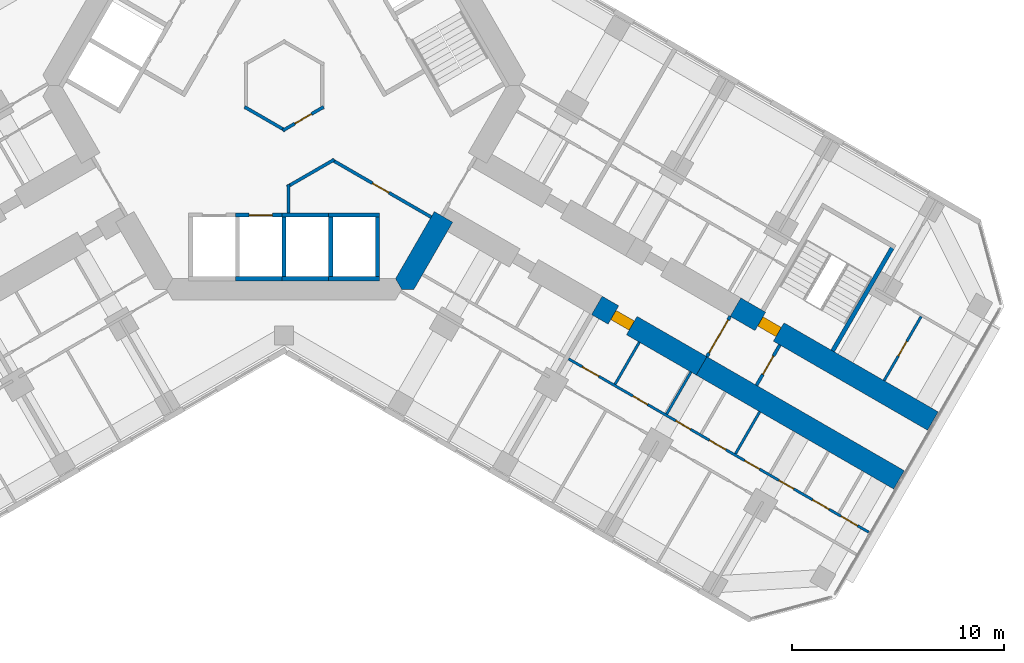
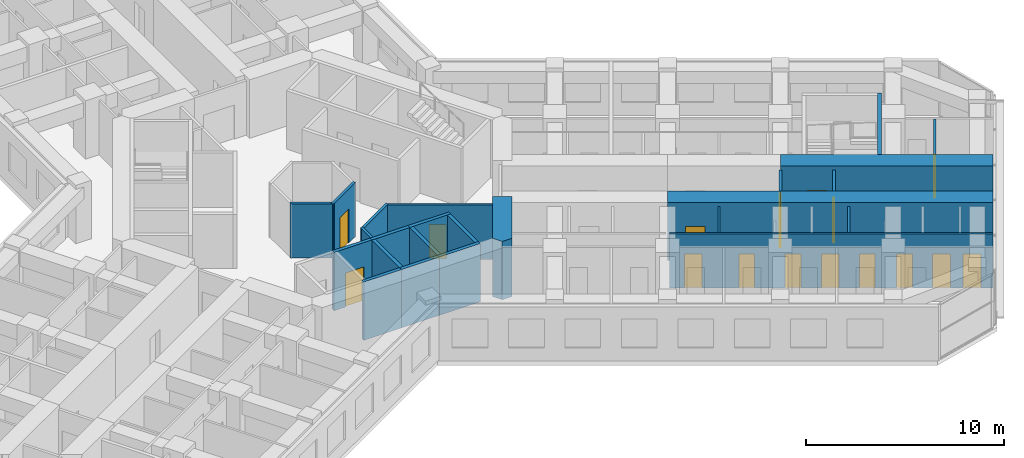
# One storey, part 15 of 22: 26 walls, 16 doors, 16 openings.
"""IFC4 building model written with IfcOpenShell, lengths in metres."""

from ifc_helpers import new_model, si_unit, direction, frame, frame_2d, origin, place, context, subcontext, project, spatial, polyline, rectangle, outline, extrude, material, layer, layer_set, type_object, element, fill, save


model = new_model("IFC4")

# Units and contexts
model_context = context("Model", 3, precision=1e-05, world=origin(), true_north=direction((0.0, 1.0)))
body_context = subcontext(model_context, "Body", "Model", "MODEL_VIEW")
ifc_project = project(units=[si_unit("LENGTHUNIT", "METRE"), si_unit("AREAUNIT", "SQUARE_METRE"), si_unit("VOLUMEUNIT", "CUBIC_METRE"), si_unit("PLANEANGLEUNIT", "RADIAN"), si_unit("MASSUNIT", "GRAM", prefix="KILO")], contexts=[model_context])

# Site, building, storey
site_placement = place(None, origin())
site = spatial("IfcSite", under=ifc_project, at=site_placement, CompositionType="ELEMENT")
building_placement = place(site_placement, origin())
building = spatial("IfcBuilding", under=site, at=building_placement, Name="Kosmar Iwan School Tower", CompositionType="ELEMENT")
storey_placement = place(building_placement, frame((0.0, 0.0, 91.60009765625)))
storey = spatial("IfcBuildingStorey", under=building, at=storey_placement, Name="L22", CompositionType="ELEMENT", Elevation=91.60009765625)

# Wall, opening, door
ifc_material_1 = material(Name="Gypsum board on steel studs, fire-rated", Category="steel")
ifc_layer_1 = layer(ifc_material_1, 0.14990234375)
ifc_layer_set_1 = layer_set([ifc_layer_1], Name="Core room partition 150")
wall_type_1 = type_object("IfcWallType", Name="Core room partition 150", PredefinedType="PARTITIONING", material=ifc_layer_set_1)
wall_1_placement = place(storey_placement, frame((1.864990234375, -1.001708984375, 0.0), z_axis=(0.0, 0.0, 1.0), x_axis=(-0.866023215828, -0.500003789632, 0.0)))
wall_1 = element("IfcWall", 1, at=wall_1_placement, inside=storey, type_object=wall_type_1, Name="Core room partition L22-CW4", PredefinedType="PARTITIONING", context=body_context, shape_type="SweptSolid", body=[
    extrude(rectangle(XDim=2.228515625, YDim=0.14990234375, at=frame_2d((1.1142578125, 0.0))), origin(), (0.0, 0.0, 1.0), 3.349853515625),
])
opening_1_placement = place(wall_1_placement, frame((0.6640625, 0.0, 0.0)))
opening_1 = element("IfcOpeningElement", 2, at=opening_1_placement, cuts=wall_1, Name="Opening D14", PredefinedType="OPENING", context=body_context, shape_type="SweptSolid", body=[
    extrude(rectangle(XDim=0.89990234375, YDim=2.10009765625, at=frame_2d((0.449951171875, 1.050048828125))), frame((0.0, 0.0869140625, 0.0), z_axis=(0.0, -1.0, 0.0), x_axis=(1.0, 0.0, 0.0)), (0.0, 0.0, 1.0), 0.173828125),
])
ifc_material_2 = material(Name="Timber fire door in steel frame", Category="steel")
door_type_1 = type_object("IfcDoorType", Name="Core room door 900x2100", OperationType="SINGLE_SWING_LEFT", PredefinedType="DOOR", material=ifc_material_2)
door_1_placement = place(opening_1_placement, origin())
door_1 = element("IfcDoor", 3, at=door_1_placement, inside=storey, type_object=door_type_1, Name="Communications room door L22 3", OperationType="SINGLE_SWING_LEFT", OverallHeight=2.10009765625, OverallWidth=0.89990234375, PredefinedType="DOOR", context=body_context, shape_type="SweptSolid", body=[
    extrude(rectangle(XDim=0.89990234375, YDim=2.10009765625, at=frame_2d((0.449951171875, 1.050048828125))), frame((0.0, 0.02490234375, 0.0), z_axis=(0.0, -1.0, 0.0), x_axis=(1.0, 0.0, 0.0)), (0.0, 0.0, 1.0), 0.050048828125),
])
fill(opening_1, door_1)

# Walls
wall_2_placement = place(storey_placement, frame((0.06494140625, -2.115966796875, 0.0), z_axis=(0.0, 0.0, 1.0), x_axis=(-0.866023215828, 0.500003789632, 0.0)))
element("IfcWall", 4, at=wall_2_placement, inside=storey, type_object=wall_type_1, Name="Core room partition L22-CW5", PredefinedType="PARTITIONING", context=body_context, shape_type="SweptSolid", body=[
    extrude(rectangle(XDim=2.228515625, YDim=0.14990234375, at=frame_2d((1.1142578125, 0.0))), origin(), (0.0, 0.0, 1.0), 3.349853515625),
])
wall_3_placement = place(storey_placement, frame((0.135009765625, -4.771728515625, 0.0), z_axis=(0.0, 0.0, 1.0), x_axis=(0.866046643894, 0.499963209246, 0.0)))
element("IfcWall", 5, at=wall_3_placement, inside=storey, type_object=wall_type_1, Name="Core room partition L22-CW10", PredefinedType="PARTITIONING", context=body_context, shape_type="SweptSolid", body=[
    extrude(rectangle(XDim=2.574951171875, YDim=0.14990234375, at=frame_2d((1.28759765625, 0.0))), origin(), (0.0, 0.0, 1.0), 3.349853515625),
])

# Wall, opening, door
wall_4_placement = place(storey_placement, frame((2.235107421875, -3.484375, 0.0), z_axis=(0.0, 0.0, 1.0), x_axis=(0.866020628587, -0.500008270794, 0.0)))
wall_4 = element("IfcWall", 6, at=wall_4_placement, inside=storey, type_object=wall_type_1, Name="Core room partition L22-CW11", PredefinedType="PARTITIONING", context=body_context, shape_type="SweptSolid", body=[
    extrude(rectangle(XDim=5.42236328125, YDim=0.14990234375, at=frame_2d((2.711181640625, 0.0))), origin(), (0.0, 0.0, 1.0), 3.349853515625),
])
opening_2_placement = place(wall_4_placement, frame((2.218994140625, 0.0, 0.0)))
opening_2 = element("IfcOpeningElement", 7, at=opening_2_placement, cuts=wall_4, Name="Opening D14", PredefinedType="OPENING", context=body_context, shape_type="SweptSolid", body=[
    extrude(rectangle(XDim=0.89990234375, YDim=2.10009765625, at=frame_2d((0.449951171875, 1.050048828125))), frame((0.0, 0.0869140625, 0.0), z_axis=(0.0, -1.0, 0.0), x_axis=(1.0, 0.0, 0.0)), (0.0, 0.0, 1.0), 0.173828125),
])
door_2_placement = place(opening_2_placement, origin())
door_2 = element("IfcDoor", 8, at=door_2_placement, inside=storey, type_object=door_type_1, Name="Bulky waste store door L22 4", OperationType="SINGLE_SWING_LEFT", OverallHeight=2.10009765625, OverallWidth=0.89990234375, PredefinedType="DOOR", context=body_context, shape_type="SweptSolid", body=[
    extrude(rectangle(XDim=0.89990234375, YDim=2.10009765625, at=frame_2d((0.449951171875, 1.050048828125))), frame((0.0, 0.02490234375, 0.0), z_axis=(0.0, -1.0, 0.0), x_axis=(1.0, 0.0, 0.0)), (0.0, 0.0, 1.0), 0.050048828125),
])
fill(opening_2, door_2)

# Walls
wall_5_placement = place(storey_placement, frame((0.199951171875, -6.0048828125, 0.0), z_axis=(0.0, 0.0, 1.0), x_axis=(0.0, 1.0, 0.0)))
element("IfcWall", 9, at=wall_5_placement, inside=storey, type_object=wall_type_1, Name="Core room partition L22-CW12", PredefinedType="PARTITIONING", context=body_context, shape_type="SweptSolid", body=[
    extrude(rectangle(XDim=1.345703125, YDim=0.14990234375, at=frame_2d((0.6728515625, 0.0))), origin(), (0.0, 0.0, 1.0), 3.349853515625),
])
ifc_material_3 = material(Name="Concrete C50/60", Category="concrete")
ifc_layer_2 = layer(ifc_material_3, 1.0)
ifc_layer_set_2 = layer_set([ifc_layer_2], Name="Core wall 1000")
wall_type_2 = type_object("IfcWallType", Name="Core wall 1000", PredefinedType="SHEAR", material=ifc_layer_set_2)
wall_6_placement = place(storey_placement, origin())
element("IfcWall", 10, at=wall_6_placement, inside=storey, type_object=wall_type_2, Name="Core wall F330a", PredefinedType="SHEAR", context=body_context, shape_type="SweptSolid", body=[
    extrude(outline(polyline([(5.54248046875, -9.60009765625), (6.119873046875, -9.60009765625), (7.94677734375, -6.435546875), (7.080810546875, -5.935546875), (5.25390625, -9.10009765625), (5.54248046875, -9.60009765625)])), origin(), (0.0, 0.0, 1.0), 3.599853515625),
])

# Wall, opening, door
ifc_material_4 = material(Name="Concrete C50/60", Category="concrete")
ifc_layer_3 = layer(ifc_material_4, 1.0)
ifc_layer_set_3 = layer_set([ifc_layer_3], Name="Corridor buttress wall 1000")
wall_type_3 = type_object("IfcWallType", Name="Corridor buttress wall 1000", PredefinedType="SHEAR", material=ifc_layer_set_3)
wall_7_placement = place(storey_placement, frame((21.281494140625, -10.439453125, 0.0), z_axis=(0.0, 0.0, 1.0), x_axis=(0.866032345022, -0.499987977232, 0.0)))
wall_7 = element("IfcWall", 11, at=wall_7_placement, inside=storey, type_object=wall_type_3, Name="Corridor wall CL bay 3", PredefinedType="SHEAR", context=body_context, shape_type="SweptSolid", body=[
    extrude(rectangle(XDim=10.744873046875, YDim=1.0, at=frame_2d((5.37255859375, 0.0))), origin(), (0.0, 0.0, 1.0), 3.599853515625),
])
opening_3_placement = place(wall_7_placement, frame((1.35009765625, 0.0, 0.0)))
opening_3 = element("IfcOpeningElement", 12, at=opening_3_placement, cuts=wall_7, Name="Opening D6", PredefinedType="OPENING", context=body_context, shape_type="SweptSolid", body=[
    extrude(rectangle(XDim=1.0, YDim=2.10009765625, at=frame_2d((0.5, 1.050048828125))), frame((0.0, 0.511962890625, 0.0), z_axis=(0.0, -1.0, 0.0), x_axis=(1.0, 0.0, 0.0)), (0.0, 0.0, 1.0), 1.02392578125),
])
ifc_material_5 = material(Name="Steel fire door", Category="steel")
door_type_2 = type_object("IfcDoorType", Name="Stair door 1000x2100", OperationType="SINGLE_SWING_LEFT", PredefinedType="DOOR", material=ifc_material_5)
door_3_placement = place(opening_3_placement, origin())
door_3 = element("IfcDoor", 13, at=door_3_placement, inside=storey, type_object=door_type_2, Name="Stair WS3 door L22", OperationType="SINGLE_SWING_LEFT", OverallHeight=2.10009765625, OverallWidth=1.0, PredefinedType="DOOR", context=body_context, shape_type="SweptSolid", body=[
    extrude(rectangle(XDim=1.0, YDim=2.10009765625, at=frame_2d((0.5, 1.050048828125))), frame((0.0, 0.25, 0.0), z_axis=(0.0, -1.0, 0.0), x_axis=(1.0, 0.0, 0.0)), (0.0, 0.0, 1.0), 0.5),
])
fill(opening_3, door_3)

wall_8_placement = place(storey_placement, frame((14.7451171875, -10.360595703125, 0.0), z_axis=(0.0, 0.0, 1.0), x_axis=(0.866015111908, -0.50001782563, 0.0)))
wall_8 = element("IfcWall", 14, at=wall_8_placement, inside=storey, type_object=wall_type_3, Name="Corridor wall CR bay 2", PredefinedType="SHEAR", context=body_context, shape_type="SweptSolid", body=[
    extrude(rectangle(XDim=5.699951171875, YDim=1.0, at=frame_2d((2.85009765625, 0.0))), origin(), (0.0, 0.0, 1.0), 3.599853515625),
])
opening_4_placement = place(wall_8_placement, frame((0.89990234375, 0.0, 0.0)))
opening_4 = element("IfcOpeningElement", 15, at=opening_4_placement, cuts=wall_8, Name="Opening D1", PredefinedType="OPENING", context=body_context, shape_type="SweptSolid", body=[
    extrude(rectangle(XDim=1.0, YDim=2.10009765625, at=frame_2d((0.5, 1.050048828125))), frame((0.0, 0.511962890625, 0.0), z_axis=(0.0, -1.0, 0.0), x_axis=(1.0, 0.0, 0.0)), (0.0, 0.0, 1.0), 1.02392578125),
])
ifc_material_6 = material(Name="Timber fire door in steel frame", Category="steel")
door_type_3 = type_object("IfcDoorType", Name="Flat entrance door 1000x2100", OperationType="SINGLE_SWING_LEFT", PredefinedType="DOOR", material=ifc_material_6)
door_4_placement = place(opening_4_placement, origin())
door_4 = element("IfcDoor", 16, at=door_4_placement, inside=storey, type_object=door_type_3, Name="Flat L22-CR2 entrance door", OperationType="SINGLE_SWING_LEFT", OverallHeight=2.10009765625, OverallWidth=1.0, PredefinedType="DOOR", context=body_context, shape_type="SweptSolid", body=[
    extrude(rectangle(XDim=1.0, YDim=2.10009765625, at=frame_2d((0.5, 1.050048828125))), frame((0.0, 0.25, 0.0), z_axis=(0.0, -1.0, 0.0), x_axis=(1.0, 0.0, 0.0)), (0.0, 0.0, 1.0), 0.5),
])
fill(opening_4, door_4)

# Wall
wall_9_placement = place(storey_placement, frame((19.681396484375, -13.210693359375, 0.0), z_axis=(0.0, 0.0, 1.0), x_axis=(0.866028186671, -0.499995179869, 0.0)))
element("IfcWall", 17, at=wall_9_placement, inside=storey, type_object=wall_type_3, Name="Corridor wall CR bay 3", PredefinedType="SHEAR", context=body_context, shape_type="SweptSolid", body=[
    extrude(rectangle(XDim=10.7451171875, YDim=1.0, at=frame_2d((5.37255859375, 0.0))), origin(), (0.0, 0.0, 1.0), 3.599853515625),
])

# Wall, opening, door
ifc_material_7 = material(Name="Gypsum board on steel studs, fire-rated", Category="steel")
ifc_layer_4 = layer(ifc_material_7, 0.14990234375)
ifc_layer_set_4 = layer_set([ifc_layer_4], Name="Corridor end wall 150")
wall_type_4 = type_object("IfcWallType", Name="Corridor end wall 150", PredefinedType="PARTITIONING", material=ifc_layer_set_4)
wall_10_placement = place(storey_placement, frame((22.269775390625, -14.127685546875, 0.0), z_axis=(0.0, 0.0, 1.0), x_axis=(0.50002983664, 0.866008176907, 0.0)))
wall_10 = element("IfcWall", 18, at=wall_10_placement, inside=storey, type_object=wall_type_4, Name="Partition L22-C-CE", PredefinedType="PARTITIONING", context=body_context, shape_type="SweptSolid", body=[
    extrude(rectangle(XDim=2.199951171875, YDim=0.14990234375, at=frame_2d((1.10009765625, 0.0))), origin(), (0.0, 0.0, 1.0), 3.349853515625),
])
opening_5_placement = place(wall_10_placement, frame((0.60009765625, 0.0, 0.0)))
opening_5 = element("IfcOpeningElement", 19, at=opening_5_placement, cuts=wall_10, Name="Opening D13", PredefinedType="OPENING", context=body_context, shape_type="SweptSolid", body=[
    extrude(rectangle(XDim=1.0, YDim=2.10009765625, at=frame_2d((0.5, 1.050048828125))), frame((0.0, 0.0869140625, 0.0), z_axis=(0.0, -1.0, 0.0), x_axis=(1.0, 0.0, 0.0)), (0.0, 0.0, 1.0), 0.173828125),
])
ifc_material_8 = material(Name="Timber fire door with vision panel", Category="wood")
door_type_4 = type_object("IfcDoorType", Name="Corridor end door 1000x2100", OperationType="SINGLE_SWING_LEFT", PredefinedType="DOOR", material=ifc_material_8)
door_5_placement = place(opening_5_placement, origin())
door_5 = element("IfcDoor", 20, at=door_5_placement, inside=storey, type_object=door_type_4, Name="Hobby workshop door L22-C", OperationType="SINGLE_SWING_RIGHT", OverallHeight=2.10009765625, OverallWidth=1.0, PredefinedType="DOOR", context=body_context, shape_type="SweptSolid", body=[
    extrude(rectangle(XDim=1.0, YDim=2.10009765625, at=frame_2d((0.5, 1.050048828125))), frame((0.0, 0.02490234375, 0.0), z_axis=(0.0, -1.0, 0.0), x_axis=(1.0, 0.0, 0.0)), (0.0, 0.0, 1.0), 0.050048828125),
])
fill(opening_5, door_5)

wall_11_placement = place(storey_placement, frame((19.931396484375, -12.777587890625, 0.0), z_axis=(0.0, 0.0, 1.0), x_axis=(0.50002983664, 0.866008176907, 0.0)))
wall_11 = element("IfcWall", 21, at=wall_11_placement, inside=storey, type_object=wall_type_4, Name="Partition L22-C-HW", PredefinedType="PARTITIONING", context=body_context, shape_type="SweptSolid", body=[
    extrude(rectangle(XDim=2.199951171875, YDim=0.14990234375, at=frame_2d((1.10009765625, 0.0))), origin(), (0.0, 0.0, 1.0), 3.349853515625),
])
opening_6_placement = place(wall_11_placement, frame((0.199951171875, 0.0, 0.0)))
opening_6 = element("IfcOpeningElement", 22, at=opening_6_placement, cuts=wall_11, Name="Opening D9", PredefinedType="OPENING", context=body_context, shape_type="SweptSolid", body=[
    extrude(rectangle(XDim=1.800048828125, YDim=2.10009765625, at=frame_2d((0.89990234375, 1.050048828125))), frame((0.0, 0.0869140625, 0.0), z_axis=(0.0, -1.0, 0.0), x_axis=(1.0, 0.0, 0.0)), (0.0, 0.0, 1.0), 0.173828125),
])
ifc_material_9 = material(Name="Steel framed glazed smoke door", Category="steel")
door_type_5 = type_object("IfcDoorType", Name="Corridor smoke door pair 1800x2100", OperationType="DOUBLE_DOOR_DOUBLE_SWING", PredefinedType="DOOR", material=ifc_material_9)
door_6_placement = place(opening_6_placement, origin())
door_6 = element("IfcDoor", 23, at=door_6_placement, inside=storey, type_object=door_type_5, Name="Entrance vestibule smoke doors L22-C", OperationType="DOUBLE_DOOR_DOUBLE_SWING", OverallHeight=2.10009765625, OverallWidth=1.800048828125, PredefinedType="DOOR", context=body_context, shape_type="SweptSolid", body=[
    extrude(rectangle(XDim=1.800048828125, YDim=2.10009765625, at=frame_2d((0.89990234375, 1.050048828125))), frame((0.0, 0.02490234375, 0.0), z_axis=(0.0, -1.0, 0.0), x_axis=(1.0, 0.0, 0.0)), (0.0, 0.0, 1.0), 0.050048828125),
])
fill(opening_6, door_6)

ifc_material_10 = material(Name="Gypsum board on steel studs", Category="steel")
ifc_layer_5 = layer(ifc_material_10, 0.1201171875)
ifc_layer_set_5 = layer_set([ifc_layer_5], Name="Dwelling partition 120")
wall_type_5 = type_object("IfcWallType", Name="Dwelling partition 120", PredefinedType="PARTITIONING", material=ifc_layer_set_5)
wall_12_placement = place(storey_placement, frame((28.286376953125, -13.90625, 0.0), z_axis=(0.0, 0.0, 1.0), x_axis=(0.50002117804, 0.866013176292, 0.0)))
wall_12 = element("IfcWall", 24, at=wall_12_placement, inside=storey, type_object=wall_type_5, Name="Partition L22-CL2-TY", PredefinedType="PARTITIONING", context=body_context, shape_type="SweptSolid", body=[
    extrude(rectangle(XDim=3.489990234375, YDim=0.1201171875, at=frame_2d((1.7451171875, 0.0))), origin(), (0.0, 0.0, 1.0), 3.349853515625),
])
opening_7_placement = place(wall_12_placement, frame((1.344970703125, 0.0, 0.0)))
opening_7 = element("IfcOpeningElement", 25, at=opening_7_placement, cuts=wall_12, Name="Opening D3", PredefinedType="OPENING", context=body_context, shape_type="SweptSolid", body=[
    extrude(rectangle(XDim=0.800048828125, YDim=2.10009765625, at=frame_2d((0.39990234375, 1.050048828125))), frame((0.0, 0.072021484375, 0.0), z_axis=(0.0, -1.0, 0.0), x_axis=(1.0, 0.0, 0.0)), (0.0, 0.0, 1.0), 0.14404296875),
])
ifc_material_11 = material(Name="Timber door in timber frame", Category="wood")
door_type_6 = type_object("IfcDoorType", Name="Sanitary room door 800x2100", OperationType="SINGLE_SWING_LEFT", PredefinedType="DOOR", material=ifc_material_11)
door_7_placement = place(opening_7_placement, origin())
door_7 = element("IfcDoor", 26, at=door_7_placement, inside=storey, type_object=door_type_6, Name="Shower room door L22-CL2-T4", OperationType="SINGLE_SWING_LEFT", OverallHeight=2.10009765625, OverallWidth=0.800048828125, PredefinedType="DOOR", context=body_context, shape_type="SweptSolid", body=[
    extrude(rectangle(XDim=0.800048828125, YDim=2.10009765625, at=frame_2d((0.39990234375, 1.050048828125))), frame((0.0, 0.02490234375, 0.0), z_axis=(0.0, -1.0, 0.0), x_axis=(1.0, 0.0, 0.0)), (0.0, 0.0, 1.0), 0.050048828125),
])
fill(opening_7, door_7)

# Wall, openings, doors
wall_13_placement = place(storey_placement, frame((13.40673828125, -12.87890625, 0.0), z_axis=(0.0, 0.0, 1.0), x_axis=(0.86603037493, -0.499991389624, 0.0)))
wall_13 = element("IfcWall", 27, at=wall_13_placement, inside=storey, type_object=wall_type_5, Name="Partition L22-CR2-W1", PredefinedType="PARTITIONING", context=body_context, shape_type="SweptSolid", body=[
    extrude(rectangle(XDim=16.344970703125, YDim=0.1201171875, at=frame_2d((8.17236328125, 0.0))), origin(), (0.0, 0.0, 1.0), 3.349853515625),
])
opening_8_placement = place(wall_13_placement, frame((0.75, 0.0, 0.0)))
opening_8 = element("IfcOpeningElement", 28, at=opening_8_placement, cuts=wall_13, Name="Opening D2", PredefinedType="OPENING", context=body_context, shape_type="SweptSolid", body=[
    extrude(rectangle(XDim=0.89990234375, YDim=2.10009765625, at=frame_2d((0.449951171875, 1.050048828125))), frame((0.0, 0.072021484375, 0.0), z_axis=(0.0, -1.0, 0.0), x_axis=(1.0, 0.0, 0.0)), (0.0, 0.0, 1.0), 0.14404296875),
])
opening_9_placement = place(wall_13_placement, frame((3.505126953125, 0.0, 0.0)))
opening_9 = element("IfcOpeningElement", 29, at=opening_9_placement, cuts=wall_13, Name="Opening D3", PredefinedType="OPENING", context=body_context, shape_type="SweptSolid", body=[
    extrude(rectangle(XDim=0.800048828125, YDim=2.10009765625, at=frame_2d((0.39990234375, 1.050048828125))), frame((0.0, 0.072021484375, 0.0), z_axis=(0.0, -1.0, 0.0), x_axis=(1.0, 0.0, 0.0)), (0.0, 0.0, 1.0), 0.14404296875),
])
opening_10_placement = place(wall_13_placement, frame((5.8466796875, 0.0, 0.0)))
opening_10 = element("IfcOpeningElement", 30, at=opening_10_placement, cuts=wall_13, Name="Opening D3", PredefinedType="OPENING", context=body_context, shape_type="SweptSolid", body=[
    extrude(rectangle(XDim=0.800048828125, YDim=2.10009765625, at=frame_2d((0.39990234375, 1.050048828125))), frame((0.0, 0.072021484375, 0.0), z_axis=(0.0, -1.0, 0.0), x_axis=(1.0, 0.0, 0.0)), (0.0, 0.0, 1.0), 0.14404296875),
])
opening_11_placement = place(wall_13_placement, frame((7.669921875, 0.0, 0.0)))
opening_11 = element("IfcOpeningElement", 31, at=opening_11_placement, cuts=wall_13, Name="Opening D2", PredefinedType="OPENING", context=body_context, shape_type="SweptSolid", body=[
    extrude(rectangle(XDim=0.89990234375, YDim=2.10009765625, at=frame_2d((0.449951171875, 1.050048828125))), frame((0.0, 0.072021484375, 0.0), z_axis=(0.0, -1.0, 0.0), x_axis=(1.0, 0.0, 0.0)), (0.0, 0.0, 1.0), 0.14404296875),
])
opening_12_placement = place(wall_13_placement, frame((9.59326171875, 0.0, 0.0)))
opening_12 = element("IfcOpeningElement", 32, at=opening_12_placement, cuts=wall_13, Name="Opening D3", PredefinedType="OPENING", context=body_context, shape_type="SweptSolid", body=[
    extrude(rectangle(XDim=0.800048828125, YDim=2.10009765625, at=frame_2d((0.39990234375, 1.050048828125))), frame((0.0, 0.072021484375, 0.0), z_axis=(0.0, -1.0, 0.0), x_axis=(1.0, 0.0, 0.0)), (0.0, 0.0, 1.0), 0.14404296875),
])
opening_13_placement = place(wall_13_placement, frame((11.466796875, 0.0, 0.0)))
opening_13 = element("IfcOpeningElement", 33, at=opening_13_placement, cuts=wall_13, Name="Opening D3", PredefinedType="OPENING", context=body_context, shape_type="SweptSolid", body=[
    extrude(rectangle(XDim=0.800048828125, YDim=2.10009765625, at=frame_2d((0.39990234375, 1.050048828125))), frame((0.0, 0.072021484375, 0.0), z_axis=(0.0, -1.0, 0.0), x_axis=(1.0, 0.0, 0.0)), (0.0, 0.0, 1.0), 0.14404296875),
])
opening_14_placement = place(wall_13_placement, frame((13.2900390625, 0.0, 0.0)))
opening_14 = element("IfcOpeningElement", 34, at=opening_14_placement, cuts=wall_13, Name="Opening D2", PredefinedType="OPENING", context=body_context, shape_type="SweptSolid", body=[
    extrude(rectangle(XDim=0.89990234375, YDim=2.10009765625, at=frame_2d((0.449951171875, 1.050048828125))), frame((0.0, 0.072021484375, 0.0), z_axis=(0.0, -1.0, 0.0), x_axis=(1.0, 0.0, 0.0)), (0.0, 0.0, 1.0), 0.14404296875),
])
opening_15_placement = place(wall_13_placement, frame((14.836669921875, 0.0, 0.0)))
opening_15 = element("IfcOpeningElement", 35, at=opening_15_placement, cuts=wall_13, Name="Opening D2", PredefinedType="OPENING", context=body_context, shape_type="SweptSolid", body=[
    extrude(rectangle(XDim=0.89990234375, YDim=2.10009765625, at=frame_2d((0.449951171875, 1.050048828125))), frame((0.0, 0.072021484375, 0.0), z_axis=(0.0, -1.0, 0.0), x_axis=(1.0, 0.0, 0.0)), (0.0, 0.0, 1.0), 0.14404296875),
])
ifc_material_12 = material(Name="Timber door in timber frame", Category="wood")
door_type_7 = type_object("IfcDoorType", Name="Internal door 900x2100", OperationType="SINGLE_SWING_LEFT", PredefinedType="DOOR", material=ifc_material_12)
door_8_placement = place(opening_8_placement, origin())
door_8 = element("IfcDoor", 36, at=door_8_placement, inside=storey, type_object=door_type_7, Name="Entrance hall door L22-CR2-S1", OperationType="SINGLE_SWING_RIGHT", OverallHeight=2.10009765625, OverallWidth=0.89990234375, PredefinedType="DOOR", context=body_context, shape_type="SweptSolid", body=[
    extrude(rectangle(XDim=0.89990234375, YDim=2.10009765625, at=frame_2d((0.449951171875, 1.050048828125))), frame((0.0, 0.02490234375, 0.0), z_axis=(0.0, -1.0, 0.0), x_axis=(1.0, 0.0, 0.0)), (0.0, 0.0, 1.0), 0.050048828125),
])
fill(opening_8, door_8)
door_9_placement = place(opening_11_placement, origin())
door_9 = element("IfcDoor", 37, at=door_9_placement, inside=storey, type_object=door_type_7, Name="Pantry door L22-CR2-S4", OperationType="SINGLE_SWING_LEFT", OverallHeight=2.10009765625, OverallWidth=0.89990234375, PredefinedType="DOOR", context=body_context, shape_type="SweptSolid", body=[
    extrude(rectangle(XDim=0.89990234375, YDim=2.10009765625, at=frame_2d((0.449951171875, 1.050048828125))), frame((0.0, 0.02490234375, 0.0), z_axis=(0.0, -1.0, 0.0), x_axis=(1.0, 0.0, 0.0)), (0.0, 0.0, 1.0), 0.050048828125),
])
fill(opening_11, door_9)
door_10_placement = place(opening_14_placement, origin())
door_10 = element("IfcDoor", 38, at=door_10_placement, inside=storey, type_object=door_type_7, Name="Utility room door L22-CR2-S7", OperationType="SINGLE_SWING_RIGHT", OverallHeight=2.10009765625, OverallWidth=0.89990234375, PredefinedType="DOOR", context=body_context, shape_type="SweptSolid", body=[
    extrude(rectangle(XDim=0.89990234375, YDim=2.10009765625, at=frame_2d((0.449951171875, 1.050048828125))), frame((0.0, 0.02490234375, 0.0), z_axis=(0.0, -1.0, 0.0), x_axis=(1.0, 0.0, 0.0)), (0.0, 0.0, 1.0), 0.050048828125),
])
fill(opening_14, door_10)
door_11_placement = place(opening_15_placement, origin())
door_11 = element("IfcDoor", 39, at=door_11_placement, inside=storey, type_object=door_type_7, Name="Dressing room door L22-CR2-S8", OperationType="SINGLE_SWING_LEFT", OverallHeight=2.10009765625, OverallWidth=0.89990234375, PredefinedType="DOOR", context=body_context, shape_type="SweptSolid", body=[
    extrude(rectangle(XDim=0.89990234375, YDim=2.10009765625, at=frame_2d((0.449951171875, 1.050048828125))), frame((0.0, 0.02490234375, 0.0), z_axis=(0.0, -1.0, 0.0), x_axis=(1.0, 0.0, 0.0)), (0.0, 0.0, 1.0), 0.050048828125),
])
fill(opening_15, door_11)
door_12_placement = place(opening_9_placement, origin())
door_12 = element("IfcDoor", 40, at=door_12_placement, inside=storey, type_object=door_type_6, Name="Bathroom door L22-CR2-S2", OperationType="SINGLE_SWING_LEFT", OverallHeight=2.10009765625, OverallWidth=0.800048828125, PredefinedType="DOOR", context=body_context, shape_type="SweptSolid", body=[
    extrude(rectangle(XDim=0.800048828125, YDim=2.10009765625, at=frame_2d((0.39990234375, 1.050048828125))), frame((0.0, 0.02490234375, 0.0), z_axis=(0.0, -1.0, 0.0), x_axis=(1.0, 0.0, 0.0)), (0.0, 0.0, 1.0), 0.050048828125),
])
fill(opening_9, door_12)
door_13_placement = place(opening_10_placement, origin())
door_13 = element("IfcDoor", 41, at=door_13_placement, inside=storey, type_object=door_type_6, Name="Shower room door L22-CR2-S3", OperationType="SINGLE_SWING_RIGHT", OverallHeight=2.10009765625, OverallWidth=0.800048828125, PredefinedType="DOOR", context=body_context, shape_type="SweptSolid", body=[
    extrude(rectangle(XDim=0.800048828125, YDim=2.10009765625, at=frame_2d((0.39990234375, 1.050048828125))), frame((0.0, 0.02490234375, 0.0), z_axis=(0.0, -1.0, 0.0), x_axis=(1.0, 0.0, 0.0)), (0.0, 0.0, 1.0), 0.050048828125),
])
fill(opening_10, door_13)
door_14_placement = place(opening_12_placement, origin())
door_14 = element("IfcDoor", 42, at=door_14_placement, inside=storey, type_object=door_type_6, Name="WC door L22-CR2-S5", OperationType="SINGLE_SWING_RIGHT", OverallHeight=2.10009765625, OverallWidth=0.800048828125, PredefinedType="DOOR", context=body_context, shape_type="SweptSolid", body=[
    extrude(rectangle(XDim=0.800048828125, YDim=2.10009765625, at=frame_2d((0.39990234375, 1.050048828125))), frame((0.0, 0.02490234375, 0.0), z_axis=(0.0, -1.0, 0.0), x_axis=(1.0, 0.0, 0.0)), (0.0, 0.0, 1.0), 0.050048828125),
])
fill(opening_12, door_14)
door_15_placement = place(opening_13_placement, origin())
door_15 = element("IfcDoor", 43, at=door_15_placement, inside=storey, type_object=door_type_6, Name="Store door L22-CR2-S6", OperationType="SINGLE_SWING_LEFT", OverallHeight=2.10009765625, OverallWidth=0.800048828125, PredefinedType="DOOR", context=body_context, shape_type="SweptSolid", body=[
    extrude(rectangle(XDim=0.800048828125, YDim=2.10009765625, at=frame_2d((0.39990234375, 1.050048828125))), frame((0.0, 0.02490234375, 0.0), z_axis=(0.0, -1.0, 0.0), x_axis=(1.0, 0.0, 0.0)), (0.0, 0.0, 1.0), 0.050048828125),
])
fill(opening_13, door_15)

# Walls
wall_14_placement = place(storey_placement, frame((16.746826171875, -12.09375, 0.0), z_axis=(0.0, 0.0, 1.0), x_axis=(-0.500014693593, -0.866016920268, 0.0)))
element("IfcWall", 44, at=wall_14_placement, inside=storey, type_object=wall_type_5, Name="Partition L22-CR2-Y1", PredefinedType="PARTITIONING", context=body_context, shape_type="SweptSolid", body=[
    extrude(rectangle(XDim=2.2900390625, YDim=0.1201171875, at=frame_2d((1.14501953125, 0.0))), origin(), (0.0, 0.0, 1.0), 3.349853515625),
])
wall_15_placement = place(storey_placement, frame((19.180419921875, -13.49853515625, 0.0), z_axis=(0.0, 0.0, 1.0), x_axis=(-0.499968531483, -0.866043571379, 0.0)))
element("IfcWall", 45, at=wall_15_placement, inside=storey, type_object=wall_type_5, Name="Partition L22-CR2-Y2", PredefinedType="PARTITIONING", context=body_context, shape_type="SweptSolid", body=[
    extrude(rectangle(XDim=2.290283203125, YDim=0.1201171875, at=frame_2d((1.14501953125, 0.0))), origin(), (0.0, 0.0, 1.0), 2.449951171875),
])
wall_16_placement = place(storey_placement, frame((22.425048828125, -15.3720703125, 0.0), z_axis=(0.0, 0.0, 1.0), x_axis=(-0.500014693593, -0.866016920268, 0.0)))
element("IfcWall", 46, at=wall_16_placement, inside=storey, type_object=wall_type_5, Name="Partition L22-CR2-Y4", PredefinedType="PARTITIONING", context=body_context, shape_type="SweptSolid", body=[
    extrude(rectangle(XDim=2.2900390625, YDim=0.1201171875, at=frame_2d((1.14501953125, 0.0))), origin(), (0.0, 0.0, 1.0), 3.349853515625),
])
ifc_material_13 = material(Name="Concrete C35/45", Category="concrete")
ifc_layer_6 = layer(ifc_material_13, 0.199951171875)
ifc_layer_set_6 = layer_set([ifc_layer_6], Name="Escape stair wall 200")
wall_type_6 = type_object("IfcWallType", Name="Escape stair wall 200", PredefinedType="SHEAR", material=ifc_layer_set_6)
wall_17_placement = place(storey_placement, frame((25.861572265625, -12.50634765625, 0.0), z_axis=(0.0, 0.0, 1.0), x_axis=(0.500018801468, 0.86601454848, 0.0)))
element("IfcWall", 47, at=wall_17_placement, inside=storey, type_object=wall_type_6, Name="Stair WS3 wall", PredefinedType="SHEAR", context=body_context, shape_type="SweptSolid", body=[
    extrude(rectangle(XDim=5.800048828125, YDim=0.199951171875, at=frame_2d((2.89990234375, 0.0))), origin(), (0.0, 0.0, 1.0), 3.329833984375),
])

# Wall, opening, door
ifc_material_14 = material(Name="Concrete C50/60", Category="concrete")
ifc_layer_7 = layer(ifc_material_14, 0.199951171875)
ifc_layer_set_7 = layer_set([ifc_layer_7], Name="Lift shaft wall 200")
wall_type_7 = type_object("IfcWallType", Name="Lift shaft wall 200", PredefinedType="SHEAR", material=ifc_layer_set_7)
wall_18_placement = place(storey_placement, frame((-2.300048828125, -6.10009765625, 0.0), z_axis=(0.0, 0.0, 1.0), x_axis=(1.0, 0.0, 0.0)))
wall_18 = element("IfcWall", 48, at=wall_18_placement, inside=storey, type_object=wall_type_7, Name="Lift and stair front wall BC", PredefinedType="SHEAR", context=body_context, shape_type="SweptSolid", body=[
    extrude(rectangle(XDim=2.199951171875, YDim=0.199951171875, at=frame_2d((1.10009765625, 0.0))), origin(), (0.0, 0.0, 1.0), 3.599853515625),
])
opening_16_placement = place(wall_18_placement, frame((0.64990234375, 0.0, 0.0)))
opening_16 = element("IfcOpeningElement", 49, at=opening_16_placement, cuts=wall_18, Name="Opening LD1", PredefinedType="OPENING", context=body_context, shape_type="SweptSolid", body=[
    extrude(rectangle(XDim=1.10009765625, YDim=2.10009765625, at=frame_2d((0.550048828125, 1.050048828125))), frame((0.0, 0.112060546875, 0.0), z_axis=(0.0, -1.0, 0.0), x_axis=(1.0, 0.0, 0.0)), (0.0, 0.0, 1.0), 0.223876953125),
])
ifc_material_15 = material(Name="Stainless steel sliding lift door", Category="steel")
door_type_8 = type_object("IfcDoorType", Name="Lift landing door 1100x2100", OperationType="SLIDING_TO_LEFT", PredefinedType="DOOR", material=ifc_material_15)
door_16_placement = place(opening_16_placement, origin())
door_16 = element("IfcDoor", 50, at=door_16_placement, inside=storey, type_object=door_type_8, Name="Lift PL2 landing door L22", OperationType="SLIDING_TO_LEFT", OverallHeight=2.10009765625, OverallWidth=1.10009765625, PredefinedType="DOOR", context=body_context, shape_type="SweptSolid", body=[
    extrude(rectangle(XDim=1.10009765625, YDim=2.10009765625, at=frame_2d((0.550048828125, 1.050048828125))), frame((0.0, 0.02490234375, 0.0), z_axis=(0.0, -1.0, 0.0), x_axis=(1.0, 0.0, 0.0)), (0.0, 0.0, 1.0), 0.050048828125),
])
fill(opening_16, door_16)

# Walls
wall_19_placement = place(storey_placement, frame((-2.300048828125, -9.10009765625, 0.0), z_axis=(0.0, 0.0, 1.0), x_axis=(1.0, 0.0, 0.0)))
element("IfcWall", 51, at=wall_19_placement, inside=storey, type_object=wall_type_7, Name="Lift and stair back wall BC", PredefinedType="SHEAR", context=body_context, shape_type="SweptSolid", body=[
    extrude(rectangle(XDim=2.199951171875, YDim=0.199951171875, at=frame_2d((1.10009765625, 0.0))), origin(), (0.0, 0.0, 1.0), 3.599853515625),
])
for number, where, z_axis, x_axis, name in (
    (52, (-0.10009765625, -6.10009765625, 0.0), (0.0, 0.0, 1.0), (1.0, 0.0, 0.0), "Lift and stair front wall BC"),
    (53, (-0.10009765625, -9.10009765625, 0.0), (0.0, 0.0, 1.0), (1.0, 0.0, 0.0), "Lift and stair back wall BC"),
):
    element("IfcWall", number, at=place(storey_placement, frame(where, z_axis=z_axis, x_axis=x_axis)), inside=storey, type_object=wall_type_7, Name=name, PredefinedType="SHEAR", context=body_context, shape_type="SweptSolid", body=[
        extrude(rectangle(XDim=2.2001953125, YDim=0.199951171875, at=frame_2d((1.10009765625, 0.0))), origin(), (0.0, 0.0, 1.0), 3.599853515625),
    ])
for number, where, z_axis, x_axis, name in (
    (54, (2.10009765625, -6.10009765625, 0.0), (0.0, 0.0, 1.0), (1.0, 0.0, 0.0), "Lift and stair front wall BC"),
    (55, (2.10009765625, -9.10009765625, 0.0), (0.0, 0.0, 1.0), (1.0, 0.0, 0.0), "Lift and stair back wall BC"),
):
    element("IfcWall", number, at=place(storey_placement, frame(where, z_axis=z_axis, x_axis=x_axis)), inside=storey, type_object=wall_type_7, Name=name, PredefinedType="SHEAR", context=body_context, shape_type="SweptSolid", body=[
        extrude(rectangle(XDim=2.39990234375, YDim=0.199951171875, at=frame_2d((1.199951171875, 0.0))), origin(), (0.0, 0.0, 1.0), 3.599853515625),
    ])
for number, where, z_axis, x_axis, name in (
    (56, (0.0, -6.199951171875, 0.0), (0.0, 0.0, 1.0), (0.0, -1.0, 0.0), "Lift shaft wall BC 2"),
    (57, (2.199951171875, -6.199951171875, 0.0), (0.0, 0.0, 1.0), (0.0, -1.0, 0.0), "Lift shaft wall BC 3"),
    (58, (4.39990234375, -6.199951171875, 0.0), (0.0, 0.0, 1.0), (0.0, -1.0, 0.0), "Lift shaft wall BC 4"),
):
    element("IfcWall", number, at=place(storey_placement, frame(where, z_axis=z_axis, x_axis=x_axis)), inside=storey, type_object=wall_type_7, Name=name, PredefinedType="SHEAR", context=body_context, shape_type="SweptSolid", body=[
        extrude(rectangle(XDim=2.800048828125, YDim=0.199951171875, at=frame_2d((1.39990234375, 0.0))), origin(), (0.0, 0.0, 1.0), 3.599853515625),
    ])

save(model, "model.ifc")
